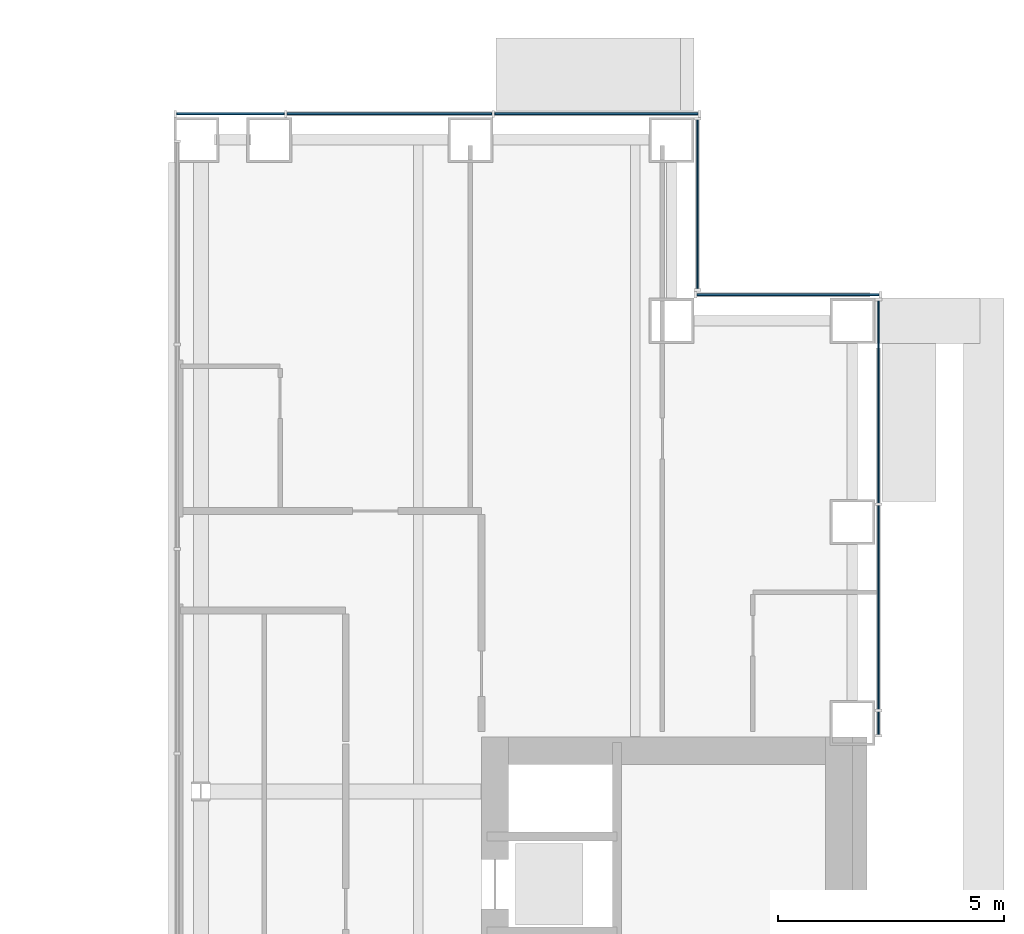
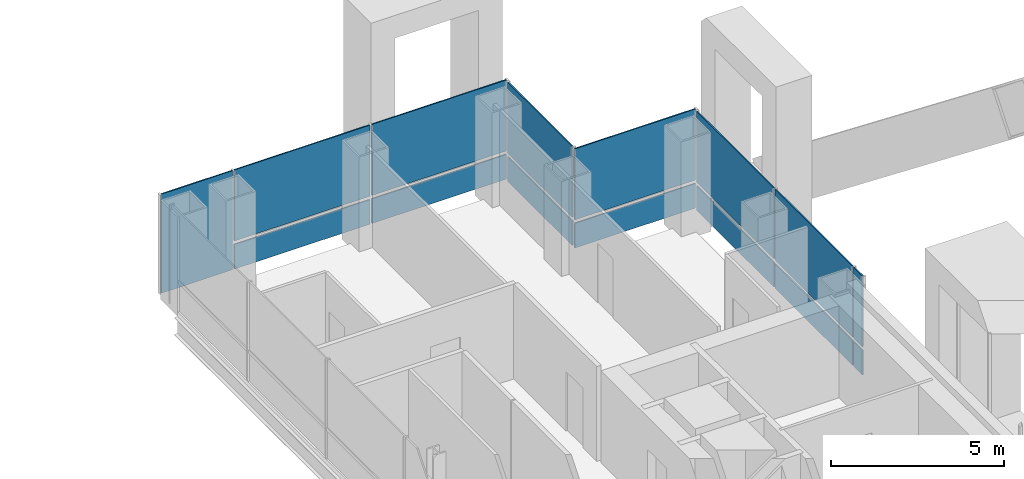
# One storey, part 16 of 26: 15 plates, 4 elements without a shape of their own.
"""IFC4 building model written with IfcOpenShell, lengths in metres."""

from ifc_helpers import new_model, si_unit, direction, frame, origin, origin_2d, place, context, subcontext, project, spatial, rectangle, extrude, material, layer, layer_set, type_object, element, aggregate, save


model = new_model("IFC4")

# Units and contexts
model_context = context("Model", 3, precision=1e-05, world=origin(), true_north=direction((0.0, 1.0)))
body_context = subcontext(model_context, "Body", "Model", "MODEL_VIEW")
ifc_project = project(units=[si_unit("LENGTHUNIT", "METRE"), si_unit("AREAUNIT", "SQUARE_METRE"), si_unit("VOLUMEUNIT", "CUBIC_METRE"), si_unit("PLANEANGLEUNIT", "RADIAN"), si_unit("MASSUNIT", "GRAM", prefix="KILO")], contexts=[model_context])

# Site, building, storey
site_placement = place(None, origin())
site = spatial("IfcSite", under=ifc_project, at=site_placement, CompositionType="ELEMENT")
building_placement = place(site_placement, origin())
building = spatial("IfcBuilding", under=site, at=building_placement, Name="Cobrizo Arcos Hotel Tower", CompositionType="ELEMENT")
storey_placement = place(building_placement, frame((0.0, 0.0, 67.0)))
storey = spatial("IfcBuildingStorey", under=building, at=storey_placement, Name="L15", CompositionType="ELEMENT", Elevation=67.0)

# Curtain wall, plates
ifc_material_1 = material(Name="Aluminium 6063-T6 anodised bronze", Category="aluminium")
curtain_wall_type = type_object("IfcCurtainWallType", Name="CW-A guest facade", PredefinedType="NOTDEFINED", material=ifc_material_1)
curtain_wall_1_placement = place(storey_placement, origin())
curtain_wall_1 = element("IfcCurtainWall", 1, at=curtain_wall_1_placement, inside=storey, type_object=curtain_wall_type, Name="CW-A L15 E face", PredefinedType="NOTDEFINED")
ifc_material_2 = material(Name="Glass clear laminated low-e", Category="glass")
ifc_layer_1 = layer(ifc_material_2, 0.0400390625)
ifc_layer_set_1 = layer_set([ifc_layer_1], Name="CW-A glass panel")
plate_type_1 = type_object("IfcPlateType", Name="CW-A glass panel", PredefinedType="CURTAIN_PANEL", material=ifc_layer_set_1)
plate_1_placement = place(storey_placement, frame((24.574951171875, 11.109375, 0.990234375), z_axis=(0.0, 0.0, 1.0), x_axis=(0.0, 1.0, 0.0)))
plate_1 = element("IfcPlate", 2, at=plate_1_placement, type_object=plate_type_1, Name="CW-A glass panel 664", PredefinedType="CURTAIN_PANEL", context=body_context, shape_type="SweptSolid", body=[
    extrude(rectangle(XDim=0.498779296875, YDim=0.0400390625, at=origin_2d()), origin(), (0.0, 0.0, 1.0), 2.510009765625),
])
plate_2_placement = place(storey_placement, frame((24.574951171875, 13.666748046875, 0.990234375), z_axis=(0.0, 0.0, 1.0), x_axis=(0.0, 1.0, 0.0)))
plate_2 = element("IfcPlate", 3, at=plate_2_placement, type_object=plate_type_1, Name="CW-A glass panel 665", PredefinedType="CURTAIN_PANEL", context=body_context, shape_type="SweptSolid", body=[
    extrude(rectangle(XDim=4.49560546875, YDim=0.0400390625, at=origin_2d()), origin(), (0.0, 0.0, 1.0), 2.510009765625),
])
plate_3_placement = place(storey_placement, frame((24.574951171875, 18.207275390625, 0.990234375), z_axis=(0.0, 0.0, 1.0), x_axis=(0.0, 1.0, 0.0)))
plate_3 = element("IfcPlate", 4, at=plate_3_placement, type_object=plate_type_1, Name="CW-A glass panel 666", PredefinedType="CURTAIN_PANEL", context=body_context, shape_type="SweptSolid", body=[
    extrude(rectangle(XDim=4.465576171875, YDim=0.0400390625, at=origin_2d()), origin(), (0.0, 0.0, 1.0), 2.510009765625),
])

# Curtain wall, plate
curtain_wall_2_placement = place(storey_placement, origin())
curtain_wall_2 = element("IfcCurtainWall", 5, at=curtain_wall_2_placement, inside=storey, type_object=curtain_wall_type, Name="CW-A L15 N face", PredefinedType="NOTDEFINED")
plate_4_placement = place(storey_placement, frame((22.574951171875, 20.574951171875, 0.990234375), z_axis=(0.0, 0.0, 1.0), x_axis=(-1.0, 0.0, 0.0)))
plate_4 = element("IfcPlate", 6, at=plate_4_placement, type_object=plate_type_1, Name="CW-A glass panel 667", PredefinedType="CURTAIN_PANEL", context=body_context, shape_type="SweptSolid", body=[
    extrude(rectangle(XDim=4.030029296875, YDim=0.0400390625, at=origin_2d()), origin(), (0.0, 0.0, 1.0), 2.510009765625),
])

curtain_wall_3_placement = place(storey_placement, origin())
curtain_wall_3 = element("IfcCurtainWall", 7, at=curtain_wall_3_placement, inside=storey, type_object=curtain_wall_type, Name="CW-A L15 E face", PredefinedType="NOTDEFINED")
plate_5_placement = place(storey_placement, frame((20.574951171875, 22.574951171875, 0.990234375), z_axis=(0.0, 0.0, 1.0), x_axis=(0.0, 1.0, 0.0)))
plate_5 = element("IfcPlate", 8, at=plate_5_placement, type_object=plate_type_1, Name="CW-A glass panel 668", PredefinedType="CURTAIN_PANEL", context=body_context, shape_type="SweptSolid", body=[
    extrude(rectangle(XDim=3.72998046875, YDim=0.0400390625, at=origin_2d()), origin(), (0.0, 0.0, 1.0), 2.510009765625),
])

# Curtain wall, plates
curtain_wall_4_placement = place(storey_placement, origin())
curtain_wall_4 = element("IfcCurtainWall", 9, at=curtain_wall_4_placement, inside=storey, type_object=curtain_wall_type, Name="CW-A L15 N face", PredefinedType="NOTDEFINED")
plate_6_placement = place(storey_placement, frame((18.340576171875, 24.574951171875, 0.990234375), z_axis=(0.0, 0.0, 1.0), x_axis=(-1.0, 0.0, 0.0)))
plate_6 = element("IfcPlate", 10, at=plate_6_placement, type_object=plate_type_1, Name="CW-A glass panel 669", PredefinedType="CURTAIN_PANEL", context=body_context, shape_type="SweptSolid", body=[
    extrude(rectangle(XDim=4.498779296875, YDim=0.0400390625, at=origin_2d()), origin(), (0.0, 0.0, 1.0), 2.510009765625),
])
plate_7_placement = place(storey_placement, frame((13.7666015625, 24.574951171875, 0.990234375), z_axis=(0.0, 0.0, 1.0), x_axis=(-1.0, 0.0, 0.0)))
plate_7 = element("IfcPlate", 11, at=plate_7_placement, type_object=plate_type_1, Name="CW-A glass panel 670", PredefinedType="CURTAIN_PANEL", context=body_context, shape_type="SweptSolid", body=[
    extrude(rectangle(XDim=4.52880859375, YDim=0.0400390625, at=origin_2d()), origin(), (0.0, 0.0, 1.0), 2.510009765625),
])

# Plate
ifc_material_3 = material(Name="Aluminium composite panel pale metal", Category="aluminium")
ifc_layer_2 = layer(ifc_material_3, 0.0400390625)
ifc_layer_set_2 = layer_set([ifc_layer_2], Name="CW-A spandrel panel")
plate_type_2 = type_object("IfcPlateType", Name="CW-A spandrel panel", PredefinedType="CURTAIN_PANEL", material=ifc_layer_set_2)
plate_8_placement = place(storey_placement, frame((24.574951171875, 11.109375, 0.0), z_axis=(0.0, 0.0, 1.0), x_axis=(0.0, 1.0, 0.0)))
plate_8 = element("IfcPlate", 12, at=plate_8_placement, type_object=plate_type_2, Name="CW-A spandrel panel 664", PredefinedType="CURTAIN_PANEL", context=body_context, shape_type="SweptSolid", body=[
    extrude(rectangle(XDim=0.498779296875, YDim=0.0400390625, at=origin_2d()), origin(), (0.0, 0.0, 1.0), 0.8701171875),
])

plate_9_placement = place(storey_placement, frame((24.574951171875, 13.666748046875, 0.0), z_axis=(0.0, 0.0, 1.0), x_axis=(0.0, 1.0, 0.0)))
plate_9 = element("IfcPlate", 13, at=plate_9_placement, type_object=plate_type_2, Name="CW-A spandrel panel 665", PredefinedType="CURTAIN_PANEL", context=body_context, shape_type="SweptSolid", body=[
    extrude(rectangle(XDim=4.49560546875, YDim=0.0400390625, at=origin_2d()), origin(), (0.0, 0.0, 1.0), 0.8701171875),
])

plate_10_placement = place(storey_placement, frame((24.574951171875, 18.207275390625, 0.0), z_axis=(0.0, 0.0, 1.0), x_axis=(0.0, 1.0, 0.0)))
plate_10 = element("IfcPlate", 14, at=plate_10_placement, type_object=plate_type_2, Name="CW-A spandrel panel 666", PredefinedType="CURTAIN_PANEL", context=body_context, shape_type="SweptSolid", body=[
    extrude(rectangle(XDim=4.465576171875, YDim=0.0400390625, at=origin_2d()), origin(), (0.0, 0.0, 1.0), 0.8701171875),
])

aggregate(curtain_wall_1, [plate_8, plate_1, plate_9, plate_2, plate_10, plate_3])

plate_11_placement = place(storey_placement, frame((22.574951171875, 20.574951171875, 0.0), z_axis=(0.0, 0.0, 1.0), x_axis=(-1.0, 0.0, 0.0)))
plate_11 = element("IfcPlate", 15, at=plate_11_placement, type_object=plate_type_2, Name="CW-A spandrel panel 667", PredefinedType="CURTAIN_PANEL", context=body_context, shape_type="SweptSolid", body=[
    extrude(rectangle(XDim=4.030029296875, YDim=0.0400390625, at=origin_2d()), origin(), (0.0, 0.0, 1.0), 0.8701171875),
])

aggregate(curtain_wall_2, [plate_11, plate_4])

plate_12_placement = place(storey_placement, frame((20.574951171875, 22.574951171875, 0.0), z_axis=(0.0, 0.0, 1.0), x_axis=(0.0, 1.0, 0.0)))
plate_12 = element("IfcPlate", 16, at=plate_12_placement, type_object=plate_type_2, Name="CW-A spandrel panel 668", PredefinedType="CURTAIN_PANEL", context=body_context, shape_type="SweptSolid", body=[
    extrude(rectangle(XDim=3.72998046875, YDim=0.0400390625, at=origin_2d()), origin(), (0.0, 0.0, 1.0), 0.8701171875),
])

aggregate(curtain_wall_3, [plate_12, plate_5])

plate_13_placement = place(storey_placement, frame((18.340576171875, 24.574951171875, 0.0), z_axis=(0.0, 0.0, 1.0), x_axis=(-1.0, 0.0, 0.0)))
plate_13 = element("IfcPlate", 17, at=plate_13_placement, type_object=plate_type_2, Name="CW-A spandrel panel 669", PredefinedType="CURTAIN_PANEL", context=body_context, shape_type="SweptSolid", body=[
    extrude(rectangle(XDim=4.498779296875, YDim=0.0400390625, at=origin_2d()), origin(), (0.0, 0.0, 1.0), 0.8701171875),
])

plate_14_placement = place(storey_placement, frame((13.7666015625, 24.574951171875, 0.0), z_axis=(0.0, 0.0, 1.0), x_axis=(-1.0, 0.0, 0.0)))
plate_14 = element("IfcPlate", 18, at=plate_14_placement, type_object=plate_type_2, Name="CW-A spandrel panel 670", PredefinedType="CURTAIN_PANEL", context=body_context, shape_type="SweptSolid", body=[
    extrude(rectangle(XDim=4.52880859375, YDim=0.0400390625, at=origin_2d()), origin(), (0.0, 0.0, 1.0), 0.8701171875),
])

plate_15_placement = place(storey_placement, frame((10.251220703125, 24.574951171875, 0.0), z_axis=(0.0, 0.0, 1.0), x_axis=(-1.0, 0.0, 0.0)))
plate_15 = element("IfcPlate", 19, at=plate_15_placement, type_object=plate_type_2, Name="CW-A spandrel panel 671", PredefinedType="CURTAIN_PANEL", context=body_context, shape_type="SweptSolid", body=[
    extrude(rectangle(XDim=2.38232421875, YDim=0.0400390625, at=origin_2d()), origin(), (0.0, 0.0, 1.0), 3.5),
])

aggregate(curtain_wall_4, [plate_13, plate_6, plate_14, plate_7, plate_15])

save(model, "model.ifc")
